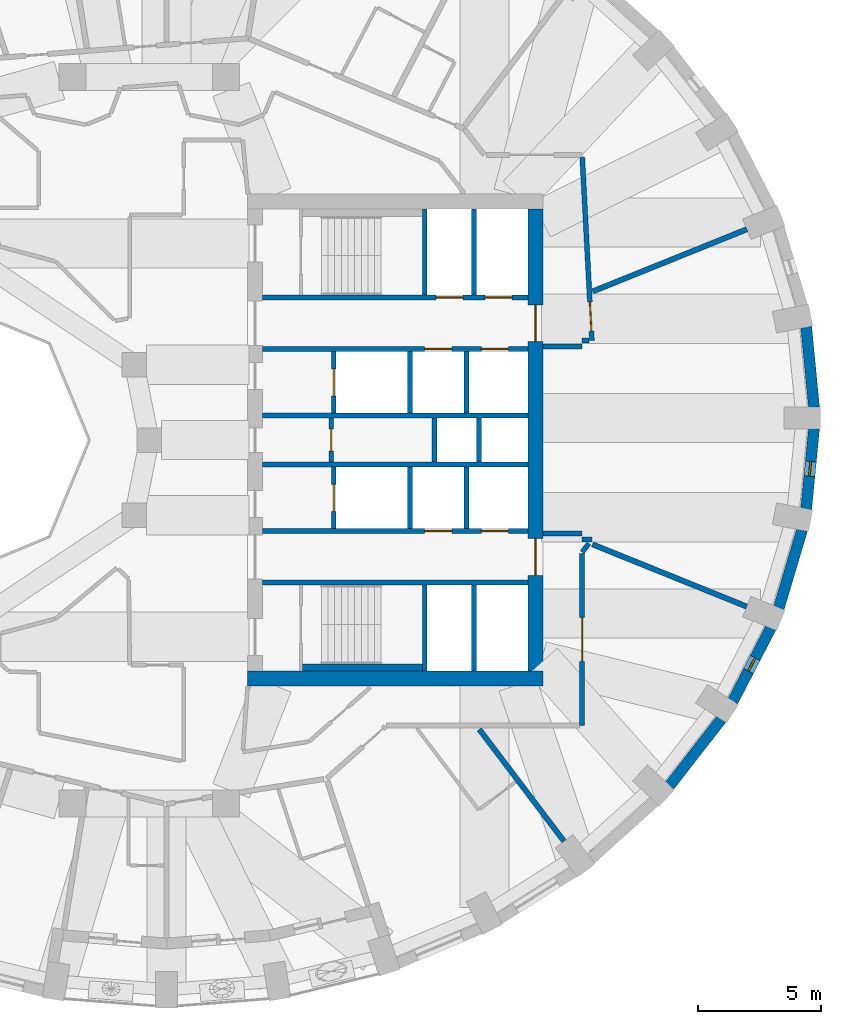
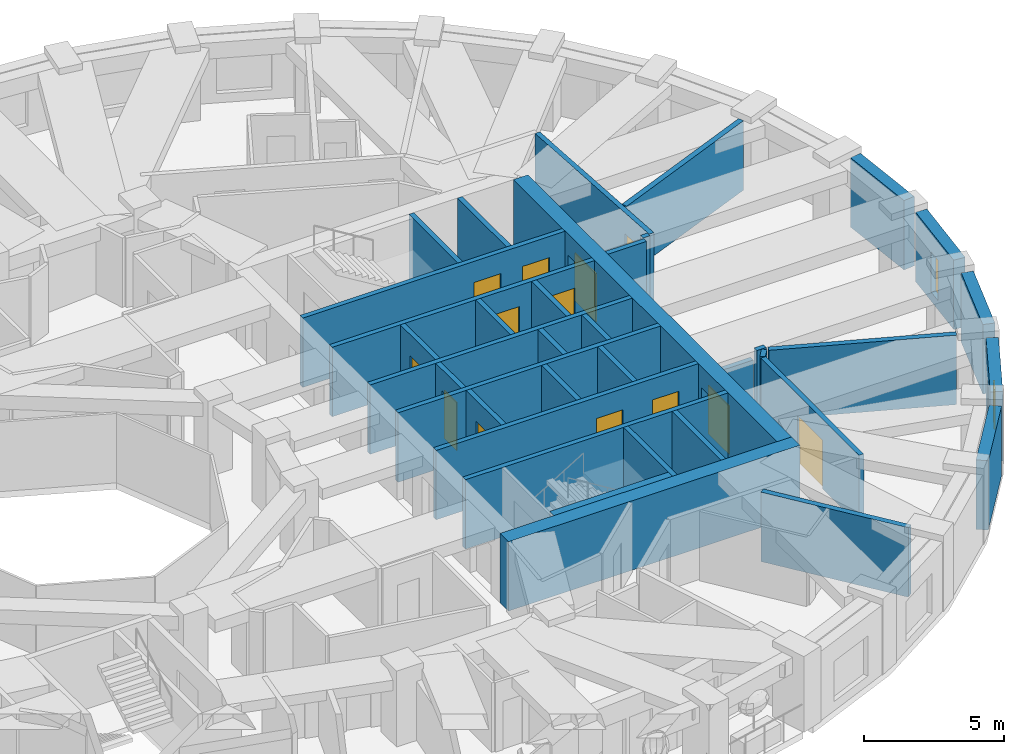
# One storey, part 6 of 12: 37 walls, 13 doors, 2 windows, 15 openings.
"""IFC4 building model written with IfcOpenShell, lengths in metres."""

from ifc_helpers import new_model, si_unit, direction, frame, frame_2d, origin, place, context, subcontext, project, spatial, rectangle, extrude, material, layer, layer_set, type_object, element, fill, save


model = new_model("IFC4")

# Units and contexts
model_context = context("Model", 3, precision=1e-05, world=origin(), true_north=direction((0.0, 1.0)))
body_context = subcontext(model_context, "Body", "Model", "MODEL_VIEW")
ifc_project = project(units=[si_unit("LENGTHUNIT", "METRE"), si_unit("AREAUNIT", "SQUARE_METRE"), si_unit("VOLUMEUNIT", "CUBIC_METRE"), si_unit("PLANEANGLEUNIT", "RADIAN"), si_unit("MASSUNIT", "GRAM", prefix="KILO")], contexts=[model_context])

# Site, building, storey
site_placement = place(None, origin())
site = spatial("IfcSite", under=ifc_project, at=site_placement, CompositionType="ELEMENT")
building_placement = place(site_placement, origin())
building = spatial("IfcBuilding", under=site, at=building_placement, Name="Taillehof Tower", CompositionType="ELEMENT")
storey_placement = place(building_placement, frame((0.0, 0.0, 205.699951171875)))
storey = spatial("IfcBuildingStorey", under=building, at=storey_placement, Name="L58", CompositionType="ELEMENT", Elevation=205.699951171875)

# Walls
ifc_material_1 = material(Name="Brick masonry", Category="masonry")
ifc_layer_1 = layer(ifc_material_1, 0.449951171875)
ifc_layer_set_1 = layer_set([ifc_layer_1], Name="Brick infill wall 450")
wall_type_1 = type_object("IfcWallType", Name="Brick infill wall 450", PredefinedType="SOLIDWALL", material=ifc_layer_set_1)
wall_1_placement = place(storey_placement, frame((27.0322265625, 1.330078125, 0.0), z_axis=(0.0, 0.0, 1.0), x_axis=(-0.096824116835, 0.995301507283, 0.0)))
element("IfcWall", 1, at=wall_1_placement, inside=storey, type_object=wall_type_1, Name="Brick wall L58 bay 1", PredefinedType="SOLIDWALL", context=body_context, shape_type="SweptSolid", body=[
    extrude(rectangle(XDim=3.29296875, YDim=0.449951171875, at=frame_2d((1.646484375, 0.0))), origin(), (0.0, 0.0, 1.0), 3.02001953125),
])
wall_2_placement = place(storey_placement, frame((21.1513671875, -14.06103515625, 0.0), z_axis=(0.0, 0.0, 1.0), x_axis=(0.614255239631, 0.789107407509, 0.0)))
element("IfcWall", 2, at=wall_2_placement, inside=storey, type_object=wall_type_1, Name="Brick wall L58 bay 33", PredefinedType="SOLIDWALL", context=body_context, shape_type="SweptSolid", body=[
    extrude(rectangle(XDim=3.4375, YDim=0.449951171875, at=frame_2d((1.71875, 0.0))), origin(), (0.0, 0.0, 1.0), 3.02001953125),
])

# Wall, opening, window
wall_3_placement = place(storey_placement, frame((23.72705078125, -10.6240234375, 0.0), z_axis=(0.0, 0.0, 1.0), x_axis=(0.460175500475, 0.887827972505, 0.0)))
wall_3 = element("IfcWall", 3, at=wall_3_placement, inside=storey, type_object=wall_type_1, Name="Brick wall L58 bay 34", PredefinedType="SOLIDWALL", context=body_context, shape_type="SweptSolid", body=[
    extrude(rectangle(XDim=3.37060546875, YDim=0.449951171875, at=frame_2d((1.685302734375, 0.0))), origin(), (0.0, 0.0, 1.0), 3.02001953125),
])
opening_1_placement = place(wall_3_placement, frame((1.38525390625, 0.0, 0.39990234375)))
opening_1 = element("IfcOpeningElement", 4, at=opening_1_placement, cuts=wall_3, Name="Opening W6", PredefinedType="OPENING", context=body_context, shape_type="SweptSolid", body=[
    extrude(rectangle(XDim=0.60009765625, YDim=1.75, at=frame_2d((0.300048828125, 0.875))), frame((0.0, 0.23486328125, 0.0), z_axis=(0.0, -1.0, 0.0), x_axis=(1.0, 0.0, 0.0)), (0.0, 0.0, 1.0), 0.469970703125),
])
ifc_material_2 = material(Name="Aluminium window frame with clear double glazing", Category="aluminium")
window_type = type_object("IfcWindowType", Name="Slot window 600x1750", PartitioningType="SINGLE_PANEL", PredefinedType="WINDOW", material=ifc_material_2)
window_1_placement = place(opening_1_placement, origin())
window_1 = element("IfcWindow", 5, at=window_1_placement, inside=storey, type_object=window_type, Name="W6", OverallHeight=1.75, OverallWidth=0.60009765625, PartitioningType="SINGLE_PANEL", PredefinedType="WINDOW", context=body_context, shape_type="SweptSolid", body=[
    extrude(rectangle(XDim=0.60009765625, YDim=1.75, at=frame_2d((0.300048828125, 0.875))), frame((0.0, 0.034912109375, 0.0), z_axis=(0.0, -1.0, 0.0), x_axis=(1.0, 0.0, 0.0)), (0.0, 0.0, 1.0), 0.06005859375),
])
fill(opening_1, window_1)

# Wall
wall_4_placement = place(storey_placement, frame((25.600341796875, -6.833984375, 0.0), z_axis=(0.0, 0.0, 1.0), x_axis=(0.285444972963, 0.958395099847, 0.0)))
element("IfcWall", 6, at=wall_4_placement, inside=storey, type_object=wall_type_1, Name="Brick wall L58 bay 35", PredefinedType="SOLIDWALL", context=body_context, shape_type="SweptSolid", body=[
    extrude(rectangle(XDim=3.3203125, YDim=0.449951171875, at=frame_2d((1.66015625, 0.0))), origin(), (0.0, 0.0, 1.0), 3.02001953125),
])

# Wall, opening, window
wall_5_placement = place(storey_placement, frame((26.71337890625, -2.807861328125, 0.0), z_axis=(0.0, 0.0, 1.0), x_axis=(0.096816972749, 0.995302202242, 0.0)))
wall_5 = element("IfcWall", 7, at=wall_5_placement, inside=storey, type_object=wall_type_1, Name="Brick wall L58 bay 36", PredefinedType="SOLIDWALL", context=body_context, shape_type="SweptSolid", body=[
    extrude(rectangle(XDim=3.293212890625, YDim=0.449951171875, at=frame_2d((1.646484375, 0.0))), origin(), (0.0, 0.0, 1.0), 3.02001953125),
])
opening_2_placement = place(wall_5_placement, frame((1.3466796875, 0.0, 0.39990234375)))
opening_2 = element("IfcOpeningElement", 8, at=opening_2_placement, cuts=wall_5, Name="Opening W6", PredefinedType="OPENING", context=body_context, shape_type="SweptSolid", body=[
    extrude(rectangle(XDim=0.60009765625, YDim=1.75, at=frame_2d((0.300048828125, 0.875))), frame((0.0, 0.23486328125, 0.0), z_axis=(0.0, -1.0, 0.0), x_axis=(1.0, 0.0, 0.0)), (0.0, 0.0, 1.0), 0.469970703125),
])
window_2_placement = place(opening_2_placement, origin())
window_2 = element("IfcWindow", 9, at=window_2_placement, inside=storey, type_object=window_type, Name="W6", OverallHeight=1.75, OverallWidth=0.60009765625, PartitioningType="SINGLE_PANEL", PredefinedType="WINDOW", context=body_context, shape_type="SweptSolid", body=[
    extrude(rectangle(XDim=0.60009765625, YDim=1.75, at=frame_2d((0.300048828125, 0.875))), frame((0.0, 0.034912109375, 0.0), z_axis=(0.0, -1.0, 0.0), x_axis=(1.0, 0.0, 0.0)), (0.0, 0.0, 1.0), 0.06005859375),
])
fill(opening_2, window_2)

# Wall, opening, door
ifc_material_3 = material(Name="Calcium silicate masonry", Category="masonry")
ifc_layer_2 = layer(ifc_material_3, 0.199951171875)
ifc_layer_set_2 = layer_set([ifc_layer_2], Name="Compartment wall calcium silicate 200")
wall_type_2 = type_object("IfcWallType", Name="Compartment wall calcium silicate 200", PredefinedType="PARTITIONING", material=ifc_layer_set_2)
wall_6_placement = place(storey_placement, frame((7.39990234375, -0.89990234375, 0.0), z_axis=(0.0, 0.0, 1.0), x_axis=(0.0, 1.0, 0.0)))
wall_6 = element("IfcWall", 10, at=wall_6_placement, inside=storey, type_object=wall_type_2, Name="Compartment wall FW", PredefinedType="PARTITIONING", context=body_context, shape_type="SweptSolid", body=[
    extrude(rectangle(XDim=1.7998046875, YDim=0.199951171875, at=frame_2d((0.89990234375, 0.0))), origin(), (0.0, 0.0, 1.0), 3.02001953125),
])
opening_3_placement = place(wall_6_placement, frame((0.449951171875, 0.0, 0.0)))
opening_3 = element("IfcOpeningElement", 11, at=opening_3_placement, cuts=wall_6, Name="Opening D5814", PredefinedType="OPENING", context=body_context, shape_type="SweptSolid", body=[
    extrude(rectangle(XDim=0.89990234375, YDim=2.10009765625, at=frame_2d((0.449951171875, 1.050048828125))), frame((0.0, 0.10986328125, 0.0), z_axis=(0.0, -1.0, 0.0), x_axis=(1.0, 0.0, 0.0)), (0.0, 0.0, 1.0), 0.219970703125),
])
ifc_material_4 = material(Name="Steel-faced fire door", Category="steel")
door_type_1 = type_object("IfcDoorType", Name="Riser and service room door 900x2100", OperationType="SINGLE_SWING_LEFT", PredefinedType="DOOR", material=ifc_material_4)
door_1_placement = place(opening_3_placement, origin())
door_1 = element("IfcDoor", 12, at=door_1_placement, inside=storey, type_object=door_type_1, Name="Door Comms Room", OperationType="SINGLE_SWING_RIGHT", OverallHeight=2.10009765625, OverallWidth=0.89990234375, PredefinedType="DOOR", context=body_context, shape_type="SweptSolid", body=[
    extrude(rectangle(XDim=0.89990234375, YDim=2.10009765625, at=frame_2d((0.449951171875, 1.050048828125))), frame((0.0, 0.02490234375, 0.0), z_axis=(0.0, -1.0, 0.0), x_axis=(1.0, 0.0, 0.0)), (0.0, 0.0, 1.0), 0.050048828125),
])
fill(opening_3, door_1)

# Walls
for number, where, z_axis, x_axis, name in (
    (13, (11.60009765625, -0.89990234375, 0.0), (0.0, 0.0, 1.0), (0.0, 1.0, 0.0), "Compartment wall FW"),
    (14, (13.39990234375, -0.89990234375, 0.0), (0.0, 0.0, 1.0), (0.0, 1.0, 0.0), "Compartment wall FW"),
):
    element("IfcWall", number, at=place(storey_placement, frame(where, z_axis=z_axis, x_axis=x_axis)), inside=storey, type_object=wall_type_2, Name=name, PredefinedType="PARTITIONING", context=body_context, shape_type="SweptSolid", body=[
        extrude(rectangle(XDim=1.7998046875, YDim=0.199951171875, at=frame_2d((0.89990234375, 0.0))), origin(), (0.0, 0.0, 1.0), 3.02001953125),
    ])
ifc_material_5 = material(Name="Gypsum board on steel studs, two layers each side", Category="steel")
ifc_layer_3 = layer(ifc_material_5, 0.199951171875)
ifc_layer_set_3 = layer_set([ifc_layer_3], Name="Compartment wall corridor 200")
wall_type_3 = type_object("IfcWallType", Name="Compartment wall corridor 200", PredefinedType="PARTITIONING", material=ifc_layer_set_3)
wall_7_placement = place(storey_placement, frame((17.60009765625, -4.042724609375, 0.0), z_axis=(0.0, 0.0, 1.0), x_axis=(1.0, 0.0, 0.0)))
element("IfcWall", 15, at=wall_7_placement, inside=storey, type_object=wall_type_3, Name="Compartment wall", PredefinedType="PARTITIONING", context=body_context, shape_type="SweptSolid", body=[
    extrude(rectangle(XDim=0.3984375, YDim=0.199951171875, at=frame_2d((0.19921875, 0.0))), origin(), (0.0, 0.0, 1.0), 3.02001953125),
])
wall_8_placement = place(storey_placement, frame((17.87646484375, -4.201416015625, 0.0), z_axis=(0.0, 0.0, 1.0), x_axis=(-0.61405326993, -0.789264582816, 0.0)))
element("IfcWall", 16, at=wall_8_placement, inside=storey, type_object=wall_type_3, Name="Compartment wall", PredefinedType="PARTITIONING", context=body_context, shape_type="SweptSolid", body=[
    extrude(rectangle(XDim=0.449951171875, YDim=0.199951171875, at=frame_2d((0.22509765625, 0.0))), origin(), (0.0, 0.0, 1.0), 3.02001953125),
])

# Wall, opening, door
wall_9_placement = place(storey_placement, frame((17.60009765625, -4.61669921875, 0.0), z_axis=(0.0, 0.0, 1.0), x_axis=(0.0, -1.0, 0.0)))
wall_9 = element("IfcWall", 17, at=wall_9_placement, inside=storey, type_object=wall_type_3, Name="Compartment wall", PredefinedType="PARTITIONING", context=body_context, shape_type="SweptSolid", body=[
    extrude(rectangle(XDim=6.9833984375, YDim=0.199951171875, at=frame_2d((3.49169921875, 0.0))), origin(), (0.0, 0.0, 1.0), 3.02001953125),
])
opening_4_placement = place(wall_9_placement, frame((2.591796875, 0.0, 0.0)))
opening_4 = element("IfcOpeningElement", 18, at=opening_4_placement, cuts=wall_9, Name="Opening D5863", PredefinedType="OPENING", context=body_context, shape_type="SweptSolid", body=[
    extrude(rectangle(XDim=1.800048828125, YDim=2.10009765625, at=frame_2d((0.89990234375, 1.050048828125))), frame((0.0, 0.10986328125, 0.0), z_axis=(0.0, -1.0, 0.0), x_axis=(1.0, 0.0, 0.0)), (0.0, 0.0, 1.0), 0.219970703125),
])
ifc_material_6 = material(Name="Timber door leaf in steel frame", Category="steel")
door_type_2 = type_object("IfcDoorType", Name="Lounge and meeting room double door EI 30 1800 x 2100", OperationType="SINGLE_SWING_LEFT", PredefinedType="DOOR", material=ifc_material_6)
door_2_placement = place(opening_4_placement, origin())
door_2 = element("IfcDoor", 19, at=door_2_placement, inside=storey, type_object=door_type_2, Name="D5863", OperationType="DOUBLE_DOOR_SINGLE_SWING", OverallHeight=2.10009765625, OverallWidth=1.800048828125, PredefinedType="DOOR", context=body_context, shape_type="SweptSolid", body=[
    extrude(rectangle(XDim=1.800048828125, YDim=2.10009765625, at=frame_2d((0.89990234375, 1.050048828125))), frame((0.0, 0.02490234375, 0.0), z_axis=(0.0, -1.0, 0.0), x_axis=(1.0, 0.0, 0.0)), (0.0, 0.0, 1.0), 0.050048828125),
])
fill(opening_4, door_2)

wall_10_placement = place(storey_placement, frame((17.60498046875, 11.5, 0.0), z_axis=(0.0, 0.0, 1.0), x_axis=(0.052701255232, -0.998610323248, 0.0)))
wall_10 = element("IfcWall", 20, at=wall_10_placement, inside=storey, type_object=wall_type_3, Name="Compartment wall", PredefinedType="PARTITIONING", context=body_context, shape_type="SweptSolid", body=[
    extrude(rectangle(XDim=7.4677734375, YDim=0.199951171875, at=frame_2d((3.73388671875, 0.0))), origin(), (0.0, 0.0, 1.0), 3.02001953125),
])
opening_5_placement = place(wall_10_placement, frame((5.887451171875, 0.0, 0.0)))
opening_5 = element("IfcOpeningElement", 21, at=opening_5_placement, cuts=wall_10, Name="Opening D5864", PredefinedType="OPENING", context=body_context, shape_type="SweptSolid", body=[
    extrude(rectangle(XDim=1.199951171875, YDim=2.10009765625, at=frame_2d((0.60009765625, 1.050048828125))), frame((0.0, 0.10986328125, 0.0), z_axis=(0.0, -1.0, 0.0), x_axis=(1.0, 0.0, 0.0)), (0.0, 0.0, 1.0), 0.219970703125),
])
ifc_material_7 = material(Name="Timber door leaf in steel frame", Category="steel")
door_type_3 = type_object("IfcDoorType", Name="Suite entrance door EI 30 1200 x 2100", OperationType="SINGLE_SWING_LEFT", PredefinedType="DOOR", material=ifc_material_7)
door_3_placement = place(opening_5_placement, origin())
door_3 = element("IfcDoor", 22, at=door_3_placement, inside=storey, type_object=door_type_3, Name="D5864", OperationType="SINGLE_SWING_LEFT", OverallHeight=2.10009765625, OverallWidth=1.199951171875, PredefinedType="DOOR", context=body_context, shape_type="SweptSolid", body=[
    extrude(rectangle(XDim=1.199951171875, YDim=2.10009765625, at=frame_2d((0.60009765625, 1.050048828125))), frame((0.0, 0.02490234375, 0.0), z_axis=(0.0, -1.0, 0.0), x_axis=(1.0, 0.0, 0.0)), (0.0, 0.0, 1.0), 0.050048828125),
])
fill(opening_5, door_3)

# Walls
wall_11_placement = place(storey_placement, frame((17.87841796875, 4.042724609375, 0.0), z_axis=(0.0, 0.0, 1.0), x_axis=(-1.0, 0.0, 0.0)))
element("IfcWall", 23, at=wall_11_placement, inside=storey, type_object=wall_type_3, Name="Compartment wall", PredefinedType="PARTITIONING", context=body_context, shape_type="SweptSolid", body=[
    extrude(rectangle(XDim=0.2783203125, YDim=0.199951171875, at=frame_2d((0.13916015625, 0.0))), origin(), (0.0, 0.0, 1.0), 3.02001953125),
])
wall_12_placement = place(storey_placement, frame((17.60009765625, 3.800048828125, 0.0), z_axis=(0.0, 0.0, 1.0), x_axis=(-1.0, 0.0, 0.0)))
element("IfcWall", 24, at=wall_12_placement, inside=storey, type_object=wall_type_3, Name="Compartment wall", PredefinedType="PARTITIONING", context=body_context, shape_type="SweptSolid", body=[
    extrude(rectangle(XDim=1.59619140625, YDim=0.199951171875, at=frame_2d((0.798095703125, 0.0))), origin(), (0.0, 0.0, 1.0), 3.02001953125),
])
wall_13_placement = place(storey_placement, frame((16.00390625, -3.800048828125, 0.0), z_axis=(0.0, 0.0, 1.0), x_axis=(1.0, 0.0, 0.0)))
element("IfcWall", 25, at=wall_13_placement, inside=storey, type_object=wall_type_3, Name="Compartment wall", PredefinedType="PARTITIONING", context=body_context, shape_type="SweptSolid", body=[
    extrude(rectangle(XDim=1.59619140625, YDim=0.199951171875, at=frame_2d((0.798095703125, 0.0))), origin(), (0.0, 0.0, 1.0), 2.469970703125),
])
ifc_material_8 = material(Name="Gypsum board on double steel studs with mineral wool", Category="steel")
ifc_layer_4 = layer(ifc_material_8, 0.219970703125)
ifc_layer_set_4 = layer_set([ifc_layer_4], Name="Compartment wall guest room 220")
wall_type_4 = type_object("IfcWallType", Name="Compartment wall guest room 220", PredefinedType="PARTITIONING", material=ifc_layer_set_4)
wall_14_placement = place(storey_placement, frame((24.29541015625, 8.5712890625, 0.0), z_axis=(0.0, 0.0, 1.0), x_axis=(-0.927395972896, -0.374081153571, 0.0)))
element("IfcWall", 26, at=wall_14_placement, inside=storey, type_object=wall_type_4, Name="Compartment wall", PredefinedType="PARTITIONING", context=body_context, shape_type="SweptSolid", body=[
    extrude(rectangle(XDim=6.7548828125, YDim=0.219970703125, at=frame_2d((3.37744140625, 0.0))), origin(), (0.0, 0.0, 1.0), 3.02001953125),
])
wall_15_placement = place(storey_placement, frame((16.86328125, -16.3125, 0.0), z_axis=(0.0, 0.0, 1.0), x_axis=(-0.603636051313, 0.797260006243, 0.0)))
element("IfcWall", 27, at=wall_15_placement, inside=storey, type_object=wall_type_4, Name="Compartment wall", PredefinedType="PARTITIONING", context=body_context, shape_type="SweptSolid", body=[
    extrude(rectangle(XDim=5.70556640625, YDim=0.219970703125, at=frame_2d((2.852783203125, 0.0))), origin(), (0.0, 0.0, 1.0), 3.02001953125),
])
wall_16_placement = place(storey_placement, frame((24.29541015625, -6.771484375, 0.0), z_axis=(0.0, 0.0, 1.0), x_axis=(-0.927382720906, 0.374114005305, 0.0)))
element("IfcWall", 28, at=wall_16_placement, inside=storey, type_object=wall_type_4, Name="Compartment wall", PredefinedType="PARTITIONING", context=body_context, shape_type="SweptSolid", body=[
    extrude(rectangle(XDim=6.765869140625, YDim=0.219970703125, at=frame_2d((3.3828125, 0.0))), origin(), (0.0, 0.0, 1.0), 3.02001953125),
])
ifc_material_9 = material(Name="Calcium silicate masonry", Category="masonry")
ifc_layer_5 = layer(ifc_material_9, 0.300048828125)
ifc_layer_set_5 = layer_set([ifc_layer_5], Name="Compartment wall lining calcium silicate 300")
wall_type_5 = type_object("IfcWallType", Name="Compartment wall lining calcium silicate 300", PredefinedType="PARTITIONING", material=ifc_layer_set_5)
wall_17_placement = place(storey_placement, frame((6.219970703125, -9.25, 0.0), z_axis=(0.0, 0.0, 1.0), x_axis=(1.0, 0.0, 0.0)))
element("IfcWall", 29, at=wall_17_placement, inside=storey, type_object=wall_type_5, Name="Compartment wall FW", PredefinedType="PARTITIONING", context=body_context, shape_type="SweptSolid", body=[
    extrude(rectangle(XDim=4.880126953125, YDim=0.300048828125, at=frame_2d((2.43994140625, 0.0))), origin(), (0.0, 0.0, 1.0), 3.02001953125),
])

# Wall, openings, doors
ifc_material_10 = material(Name="Concrete C80/95", Category="concrete")
ifc_layer_6 = layer(ifc_material_10, 0.60009765625)
ifc_layer_set_6 = layer_set([ifc_layer_6], Name="Core wall C80/95 600")
wall_type_6 = type_object("IfcWallType", Name="Core wall C80/95 600", PredefinedType="SHEAR", material=ifc_layer_set_6)
wall_18_placement = place(storey_placement, frame((15.699951171875, -9.39990234375, 0.0), z_axis=(0.0, 0.0, 1.0), x_axis=(0.0, 1.0, 0.0)))
wall_18 = element("IfcWall", 30, at=wall_18_placement, inside=storey, type_object=wall_type_6, Name="Core wall CW05", PredefinedType="SHEAR", context=body_context, shape_type="SweptSolid", body=[
    extrude(rectangle(XDim=18.7998046875, YDim=0.60009765625, at=frame_2d((9.39990234375, 0.0))), origin(), (0.0, 0.0, 1.0), 3.02001953125),
])
opening_6_placement = place(wall_18_placement, frame((13.39990234375, 0.0, 0.0)))
opening_6 = element("IfcOpeningElement", 31, at=opening_6_placement, cuts=wall_18, Name="Opening D5808", PredefinedType="OPENING", context=body_context, shape_type="SweptSolid", body=[
    extrude(rectangle(XDim=1.5, YDim=2.10009765625, at=frame_2d((0.75, 1.050048828125))), frame((0.0, 0.31005859375, 0.0), z_axis=(0.0, -1.0, 0.0), x_axis=(1.0, 0.0, 0.0)), (0.0, 0.0, 1.0), 0.6201171875),
])
opening_7_placement = place(wall_18_placement, frame((3.89990234375, 0.0, 0.0)))
opening_7 = element("IfcOpeningElement", 32, at=opening_7_placement, cuts=wall_18, Name="Opening D5809", PredefinedType="OPENING", context=body_context, shape_type="SweptSolid", body=[
    extrude(rectangle(XDim=1.5, YDim=2.10009765625, at=frame_2d((0.75, 1.050048828125))), frame((0.0, 0.31005859375, 0.0), z_axis=(0.0, -1.0, 0.0), x_axis=(1.0, 0.0, 0.0)), (0.0, 0.0, 1.0), 0.6201171875),
])
ifc_material_11 = material(Name="Steel-faced fire door", Category="steel")
door_type_4 = type_object("IfcDoorType", Name="Lift lobby east door 1500x2100", OperationType="DOUBLE_DOOR_SINGLE_SWING", PredefinedType="DOOR", material=ifc_material_11)
door_4_placement = place(opening_6_placement, origin())
door_4 = element("IfcDoor", 33, at=door_4_placement, inside=storey, type_object=door_type_4, Name="Lift lobby east door north", OperationType="DOUBLE_DOOR_SINGLE_SWING", OverallHeight=2.10009765625, OverallWidth=1.5, PredefinedType="DOOR", context=body_context, shape_type="SweptSolid", body=[
    extrude(rectangle(XDim=1.5, YDim=2.10009765625, at=frame_2d((0.75, 1.050048828125))), frame((0.0, 0.02490234375, 0.0), z_axis=(0.0, -1.0, 0.0), x_axis=(1.0, 0.0, 0.0)), (0.0, 0.0, 1.0), 0.050048828125),
])
fill(opening_6, door_4)
door_5_placement = place(opening_7_placement, origin())
door_5 = element("IfcDoor", 34, at=door_5_placement, inside=storey, type_object=door_type_4, Name="Lift lobby east door south", OperationType="DOUBLE_DOOR_SINGLE_SWING", OverallHeight=2.10009765625, OverallWidth=1.5, PredefinedType="DOOR", context=body_context, shape_type="SweptSolid", body=[
    extrude(rectangle(XDim=1.5, YDim=2.10009765625, at=frame_2d((0.75, 1.050048828125))), frame((0.0, 0.02490234375, 0.0), z_axis=(0.0, -1.0, 0.0), x_axis=(1.0, 0.0, 0.0)), (0.0, 0.0, 1.0), 0.050048828125),
])
fill(opening_7, door_5)

# Wall
wall_19_placement = place(storey_placement, frame((4.0, -9.699951171875, 0.0), z_axis=(0.0, 0.0, 1.0), x_axis=(1.0, 0.0, 0.0)))
element("IfcWall", 35, at=wall_19_placement, inside=storey, type_object=wall_type_6, Name="Core wall CW07", PredefinedType="SHEAR", context=body_context, shape_type="SweptSolid", body=[
    extrude(rectangle(XDim=12.0, YDim=0.60009765625, at=frame_2d((6.0, 0.0))), origin(), (0.0, 0.0, 1.0), 3.02001953125),
])

# Wall, openings, doors
ifc_material_12 = material(Name="Concrete C50/60", Category="concrete")
ifc_layer_7 = layer(ifc_material_12, 0.199951171875)
ifc_layer_set_7 = layer_set([ifc_layer_7], Name="Shaft wall C50/60 200")
wall_type_7 = type_object("IfcWallType", Name="Shaft wall C50/60 200", PredefinedType="SHEAR", material=ifc_layer_set_7)
wall_20_placement = place(storey_placement, frame((4.60009765625, 5.800048828125, 0.0), z_axis=(0.0, 0.0, 1.0), x_axis=(1.0, 0.0, 0.0)))
wall_20 = element("IfcWall", 36, at=wall_20_placement, inside=storey, type_object=wall_type_7, Name="Shaft wall SW", PredefinedType="SHEAR", context=body_context, shape_type="SweptSolid", body=[
    extrude(rectangle(XDim=10.7998046875, YDim=0.199951171875, at=frame_2d((5.39990234375, 0.0))), origin(), (0.0, 0.0, 1.0), 3.02001953125),
])
opening_8_placement = place(wall_20_placement, frame((7.050048828125, 0.0, 0.0)))
opening_8 = element("IfcOpeningElement", 37, at=opening_8_placement, cuts=wall_20, Name="Opening LD1", PredefinedType="OPENING", context=body_context, shape_type="SweptSolid", body=[
    extrude(rectangle(XDim=1.10009765625, YDim=2.10009765625, at=frame_2d((0.550048828125, 1.050048828125))), frame((0.0, 0.10986328125, 0.0), z_axis=(0.0, -1.0, 0.0), x_axis=(1.0, 0.0, 0.0)), (0.0, 0.0, 1.0), 0.219970703125),
])
opening_9_placement = place(wall_20_placement, frame((9.050048828125, 0.0, 0.0)))
opening_9 = element("IfcOpeningElement", 38, at=opening_9_placement, cuts=wall_20, Name="Opening LD1", PredefinedType="OPENING", context=body_context, shape_type="SweptSolid", body=[
    extrude(rectangle(XDim=1.10009765625, YDim=2.10009765625, at=frame_2d((0.550048828125, 1.050048828125))), frame((0.0, 0.10986328125, 0.0), z_axis=(0.0, -1.0, 0.0), x_axis=(1.0, 0.0, 0.0)), (0.0, 0.0, 1.0), 0.219970703125),
])
ifc_material_13 = material(Name="Stainless steel", Category="steel")
door_type_5 = type_object("IfcDoorType", Name="Lift landing door LD1 1100x2100", OperationType="DOUBLE_DOOR_SLIDING", PredefinedType="DOOR", material=ifc_material_13)
door_6_placement = place(opening_8_placement, origin())
door_6 = element("IfcDoor", 39, at=door_6_placement, inside=storey, type_object=door_type_5, Name="Landing door HR1", OperationType="DOUBLE_DOOR_SLIDING", OverallHeight=2.10009765625, OverallWidth=1.10009765625, PredefinedType="DOOR", context=body_context, shape_type="SweptSolid", body=[
    extrude(rectangle(XDim=1.10009765625, YDim=2.10009765625, at=frame_2d((0.550048828125, 1.050048828125))), frame((0.0, 0.02490234375, 0.0), z_axis=(0.0, -1.0, 0.0), x_axis=(1.0, 0.0, 0.0)), (0.0, 0.0, 1.0), 0.050048828125),
])
fill(opening_8, door_6)
door_7_placement = place(opening_9_placement, origin())
door_7 = element("IfcDoor", 40, at=door_7_placement, inside=storey, type_object=door_type_5, Name="Landing door HR2", OperationType="DOUBLE_DOOR_SLIDING", OverallHeight=2.10009765625, OverallWidth=1.10009765625, PredefinedType="DOOR", context=body_context, shape_type="SweptSolid", body=[
    extrude(rectangle(XDim=1.10009765625, YDim=2.10009765625, at=frame_2d((0.550048828125, 1.050048828125))), frame((0.0, 0.02490234375, 0.0), z_axis=(0.0, -1.0, 0.0), x_axis=(1.0, 0.0, 0.0)), (0.0, 0.0, 1.0), 0.050048828125),
])
fill(opening_9, door_7)

wall_21_placement = place(storey_placement, frame((4.60009765625, 3.699951171875, 0.0), z_axis=(0.0, 0.0, 1.0), x_axis=(1.0, 0.0, 0.0)))
wall_21 = element("IfcWall", 41, at=wall_21_placement, inside=storey, type_object=wall_type_7, Name="Shaft wall SW", PredefinedType="SHEAR", context=body_context, shape_type="SweptSolid", body=[
    extrude(rectangle(XDim=10.7998046875, YDim=0.199951171875, at=frame_2d((5.39990234375, 0.0))), origin(), (0.0, 0.0, 1.0), 3.02001953125),
])
opening_10_placement = place(wall_21_placement, frame((6.60009765625, 0.0, 0.0)))
opening_10 = element("IfcOpeningElement", 42, at=opening_10_placement, cuts=wall_21, Name="Opening LD1", PredefinedType="OPENING", context=body_context, shape_type="SweptSolid", body=[
    extrude(rectangle(XDim=1.10009765625, YDim=2.10009765625, at=frame_2d((0.550048828125, 1.050048828125))), frame((0.0, 0.10986328125, 0.0), z_axis=(0.0, -1.0, 0.0), x_axis=(1.0, 0.0, 0.0)), (0.0, 0.0, 1.0), 0.219970703125),
])
opening_11_placement = place(wall_21_placement, frame((8.89990234375, 0.0, 0.0)))
opening_11 = element("IfcOpeningElement", 43, at=opening_11_placement, cuts=wall_21, Name="Opening LD1", PredefinedType="OPENING", context=body_context, shape_type="SweptSolid", body=[
    extrude(rectangle(XDim=1.10009765625, YDim=2.10009765625, at=frame_2d((0.550048828125, 1.050048828125))), frame((0.0, 0.10986328125, 0.0), z_axis=(0.0, -1.0, 0.0), x_axis=(1.0, 0.0, 0.0)), (0.0, 0.0, 1.0), 0.219970703125),
])
door_8_placement = place(opening_10_placement, origin())
door_8 = element("IfcDoor", 44, at=door_8_placement, inside=storey, type_object=door_type_5, Name="Landing door HR3", OperationType="DOUBLE_DOOR_SLIDING", OverallHeight=2.10009765625, OverallWidth=1.10009765625, PredefinedType="DOOR", context=body_context, shape_type="SweptSolid", body=[
    extrude(rectangle(XDim=1.10009765625, YDim=2.10009765625, at=frame_2d((0.550048828125, 1.050048828125))), frame((0.0, 0.02490234375, 0.0), z_axis=(0.0, -1.0, 0.0), x_axis=(1.0, 0.0, 0.0)), (0.0, 0.0, 1.0), 0.050048828125),
])
fill(opening_10, door_8)
door_9_placement = place(opening_11_placement, origin())
door_9 = element("IfcDoor", 45, at=door_9_placement, inside=storey, type_object=door_type_5, Name="Landing door HR4", OperationType="DOUBLE_DOOR_SLIDING", OverallHeight=2.10009765625, OverallWidth=1.10009765625, PredefinedType="DOOR", context=body_context, shape_type="SweptSolid", body=[
    extrude(rectangle(XDim=1.10009765625, YDim=2.10009765625, at=frame_2d((0.550048828125, 1.050048828125))), frame((0.0, 0.02490234375, 0.0), z_axis=(0.0, -1.0, 0.0), x_axis=(1.0, 0.0, 0.0)), (0.0, 0.0, 1.0), 0.050048828125),
])
fill(opening_11, door_9)

# Walls
for number, where, z_axis, x_axis, name in (
    (46, (4.60009765625, 1.0, 0.0), (0.0, 0.0, 1.0), (1.0, 0.0, 0.0), "Shaft wall SW"),
    (47, (4.60009765625, -1.0, 0.0), (0.0, 0.0, 1.0), (1.0, 0.0, 0.0), "Shaft wall SW"),
):
    element("IfcWall", number, at=place(storey_placement, frame(where, z_axis=z_axis, x_axis=x_axis)), inside=storey, type_object=wall_type_7, Name=name, PredefinedType="SHEAR", context=body_context, shape_type="SweptSolid", body=[
        extrude(rectangle(XDim=10.7998046875, YDim=0.199951171875, at=frame_2d((5.39990234375, 0.0))), origin(), (0.0, 0.0, 1.0), 3.02001953125),
    ])

# Wall, openings, doors
wall_22_placement = place(storey_placement, frame((4.60009765625, -3.699951171875, 0.0), z_axis=(0.0, 0.0, 1.0), x_axis=(1.0, 0.0, 0.0)))
wall_22 = element("IfcWall", 48, at=wall_22_placement, inside=storey, type_object=wall_type_7, Name="Shaft wall SW", PredefinedType="SHEAR", context=body_context, shape_type="SweptSolid", body=[
    extrude(rectangle(XDim=10.7998046875, YDim=0.199951171875, at=frame_2d((5.39990234375, 0.0))), origin(), (0.0, 0.0, 1.0), 3.02001953125),
])
opening_12_placement = place(wall_22_placement, frame((6.60009765625, 0.0, 0.0)))
opening_12 = element("IfcOpeningElement", 49, at=opening_12_placement, cuts=wall_22, Name="Opening LD1", PredefinedType="OPENING", context=body_context, shape_type="SweptSolid", body=[
    extrude(rectangle(XDim=1.10009765625, YDim=2.10009765625, at=frame_2d((0.550048828125, 1.050048828125))), frame((0.0, 0.10986328125, 0.0), z_axis=(0.0, -1.0, 0.0), x_axis=(1.0, 0.0, 0.0)), (0.0, 0.0, 1.0), 0.219970703125),
])
opening_13_placement = place(wall_22_placement, frame((8.89990234375, 0.0, 0.0)))
opening_13 = element("IfcOpeningElement", 50, at=opening_13_placement, cuts=wall_22, Name="Opening LD1", PredefinedType="OPENING", context=body_context, shape_type="SweptSolid", body=[
    extrude(rectangle(XDim=1.10009765625, YDim=2.10009765625, at=frame_2d((0.550048828125, 1.050048828125))), frame((0.0, 0.10986328125, 0.0), z_axis=(0.0, -1.0, 0.0), x_axis=(1.0, 0.0, 0.0)), (0.0, 0.0, 1.0), 0.219970703125),
])
door_10_placement = place(opening_12_placement, origin())
door_10 = element("IfcDoor", 51, at=door_10_placement, inside=storey, type_object=door_type_5, Name="Landing door HR5", OperationType="DOUBLE_DOOR_SLIDING", OverallHeight=2.10009765625, OverallWidth=1.10009765625, PredefinedType="DOOR", context=body_context, shape_type="SweptSolid", body=[
    extrude(rectangle(XDim=1.10009765625, YDim=2.10009765625, at=frame_2d((0.550048828125, 1.050048828125))), frame((0.0, 0.02490234375, 0.0), z_axis=(0.0, -1.0, 0.0), x_axis=(1.0, 0.0, 0.0)), (0.0, 0.0, 1.0), 0.050048828125),
])
fill(opening_12, door_10)
door_11_placement = place(opening_13_placement, origin())
door_11 = element("IfcDoor", 52, at=door_11_placement, inside=storey, type_object=door_type_5, Name="Landing door HR6", OperationType="DOUBLE_DOOR_SLIDING", OverallHeight=2.10009765625, OverallWidth=1.10009765625, PredefinedType="DOOR", context=body_context, shape_type="SweptSolid", body=[
    extrude(rectangle(XDim=1.10009765625, YDim=2.10009765625, at=frame_2d((0.550048828125, 1.050048828125))), frame((0.0, 0.02490234375, 0.0), z_axis=(0.0, -1.0, 0.0), x_axis=(1.0, 0.0, 0.0)), (0.0, 0.0, 1.0), 0.050048828125),
])
fill(opening_13, door_11)

# Walls
wall_23_placement = place(storey_placement, frame((4.60009765625, -5.800048828125, 0.0), z_axis=(0.0, 0.0, 1.0), x_axis=(1.0, 0.0, 0.0)))
element("IfcWall", 53, at=wall_23_placement, inside=storey, type_object=wall_type_7, Name="Shaft wall SW", PredefinedType="SHEAR", context=body_context, shape_type="SweptSolid", body=[
    extrude(rectangle(XDim=10.7998046875, YDim=0.199951171875, at=frame_2d((5.39990234375, 0.0))), origin(), (0.0, 0.0, 1.0), 3.02001953125),
])
for number, where, z_axis, x_axis, name in (
    (54, (11.199951171875, 5.89990234375, 0.0), (0.0, 0.0, 1.0), (0.0, 1.0, 0.0), "Shaft wall SW"),
    (55, (11.199951171875, -9.39990234375, 0.0), (0.0, 0.0, 1.0), (0.0, 1.0, 0.0), "Shaft wall SW"),
    (56, (13.199951171875, 5.89990234375, 0.0), (0.0, 0.0, 1.0), (0.0, 1.0, 0.0), "Shaft wall SW"),
    (57, (13.199951171875, -9.39990234375, 0.0), (0.0, 0.0, 1.0), (0.0, 1.0, 0.0), "Shaft wall SW"),
):
    element("IfcWall", number, at=place(storey_placement, frame(where, z_axis=z_axis, x_axis=x_axis)), inside=storey, type_object=wall_type_7, Name=name, PredefinedType="SHEAR", context=body_context, shape_type="SweptSolid", body=[
        extrude(rectangle(XDim=3.5, YDim=0.199951171875, at=frame_2d((1.75, 0.0))), origin(), (0.0, 0.0, 1.0), 3.02001953125),
    ])

# Wall, opening, door
wall_24_placement = place(storey_placement, frame((7.5, 1.10009765625, 0.0), z_axis=(0.0, 0.0, 1.0), x_axis=(0.0, 1.0, 0.0)))
wall_24 = element("IfcWall", 58, at=wall_24_placement, inside=storey, type_object=wall_type_7, Name="Shaft wall SW", PredefinedType="SHEAR", context=body_context, shape_type="SweptSolid", body=[
    extrude(rectangle(XDim=2.5, YDim=0.199951171875, at=frame_2d((1.25, 0.0))), origin(), (0.0, 0.0, 1.0), 3.02001953125),
])
opening_14_placement = place(wall_24_placement, frame((0.699951171875, 0.0, 0.0)))
opening_14 = element("IfcOpeningElement", 59, at=opening_14_placement, cuts=wall_24, Name="Opening LD1", PredefinedType="OPENING", context=body_context, shape_type="SweptSolid", body=[
    extrude(rectangle(XDim=1.10009765625, YDim=2.10009765625, at=frame_2d((0.550048828125, 1.050048828125))), frame((0.0, 0.10986328125, 0.0), z_axis=(0.0, -1.0, 0.0), x_axis=(1.0, 0.0, 0.0)), (0.0, 0.0, 1.0), 0.219970703125),
])
door_12_placement = place(opening_14_placement, origin())
door_12 = element("IfcDoor", 60, at=door_12_placement, inside=storey, type_object=door_type_5, Name="Landing door FF1", OperationType="DOUBLE_DOOR_SLIDING", OverallHeight=2.10009765625, OverallWidth=1.10009765625, PredefinedType="DOOR", context=body_context, shape_type="SweptSolid", body=[
    extrude(rectangle(XDim=1.10009765625, YDim=2.10009765625, at=frame_2d((0.550048828125, 1.050048828125))), frame((0.0, 0.02490234375, 0.0), z_axis=(0.0, -1.0, 0.0), x_axis=(1.0, 0.0, 0.0)), (0.0, 0.0, 1.0), 0.050048828125),
])
fill(opening_14, door_12)

wall_25_placement = place(storey_placement, frame((7.5, -3.60009765625, 0.0), z_axis=(0.0, 0.0, 1.0), x_axis=(0.0, 1.0, 0.0)))
wall_25 = element("IfcWall", 61, at=wall_25_placement, inside=storey, type_object=wall_type_7, Name="Shaft wall SW", PredefinedType="SHEAR", context=body_context, shape_type="SweptSolid", body=[
    extrude(rectangle(XDim=2.5, YDim=0.199951171875, at=frame_2d((1.25, 0.0))), origin(), (0.0, 0.0, 1.0), 3.02001953125),
])
opening_15_placement = place(wall_25_placement, frame((0.699951171875, 0.0, 0.0)))
opening_15 = element("IfcOpeningElement", 62, at=opening_15_placement, cuts=wall_25, Name="Opening LD1", PredefinedType="OPENING", context=body_context, shape_type="SweptSolid", body=[
    extrude(rectangle(XDim=1.10009765625, YDim=2.10009765625, at=frame_2d((0.550048828125, 1.050048828125))), frame((0.0, 0.10986328125, 0.0), z_axis=(0.0, -1.0, 0.0), x_axis=(1.0, 0.0, 0.0)), (0.0, 0.0, 1.0), 0.219970703125),
])
door_13_placement = place(opening_15_placement, origin())
door_13 = element("IfcDoor", 63, at=door_13_placement, inside=storey, type_object=door_type_5, Name="Landing door FF2", OperationType="DOUBLE_DOOR_SLIDING", OverallHeight=2.10009765625, OverallWidth=1.10009765625, PredefinedType="DOOR", context=body_context, shape_type="SweptSolid", body=[
    extrude(rectangle(XDim=1.10009765625, YDim=2.10009765625, at=frame_2d((0.550048828125, 1.050048828125))), frame((0.0, 0.02490234375, 0.0), z_axis=(0.0, -1.0, 0.0), x_axis=(1.0, 0.0, 0.0)), (0.0, 0.0, 1.0), 0.050048828125),
])
fill(opening_15, door_13)

# Walls
for number, where, z_axis, x_axis, name in (
    (64, (10.60009765625, 1.10009765625, 0.0), (0.0, 0.0, 1.0), (0.0, 1.0, 0.0), "Shaft wall SW"),
    (65, (10.60009765625, -3.60009765625, 0.0), (0.0, 0.0, 1.0), (0.0, 1.0, 0.0), "Shaft wall SW"),
    (66, (12.89990234375, 1.10009765625, 0.0), (0.0, 0.0, 1.0), (0.0, 1.0, 0.0), "Shaft wall SW"),
    (67, (12.89990234375, -3.60009765625, 0.0), (0.0, 0.0, 1.0), (0.0, 1.0, 0.0), "Shaft wall SW"),
):
    element("IfcWall", number, at=place(storey_placement, frame(where, z_axis=z_axis, x_axis=x_axis)), inside=storey, type_object=wall_type_7, Name=name, PredefinedType="SHEAR", context=body_context, shape_type="SweptSolid", body=[
        extrude(rectangle(XDim=2.5, YDim=0.199951171875, at=frame_2d((1.25, 0.0))), origin(), (0.0, 0.0, 1.0), 3.02001953125),
    ])

save(model, "model.ifc")
